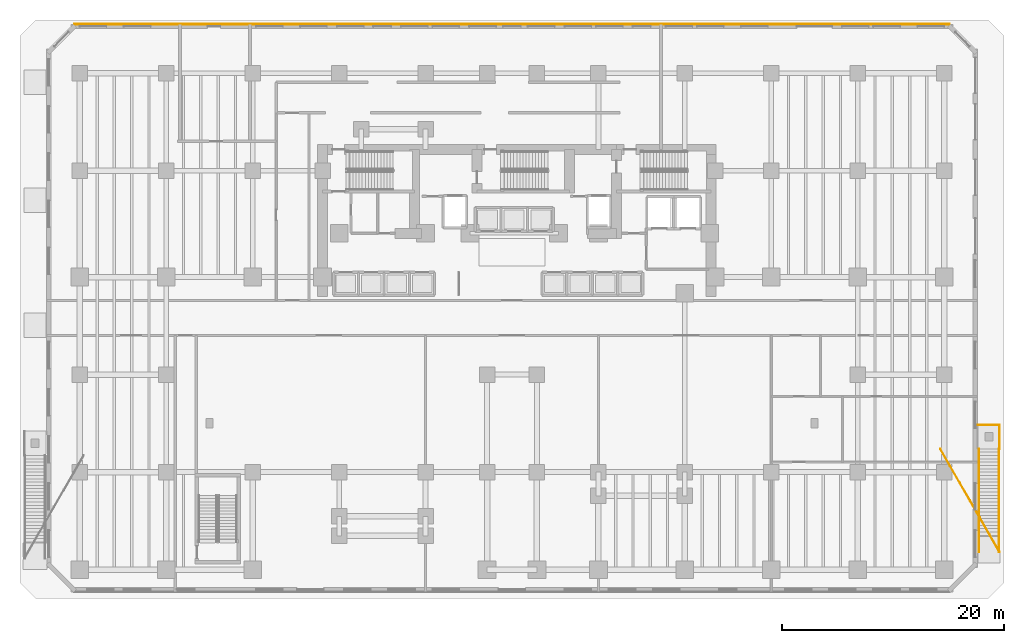
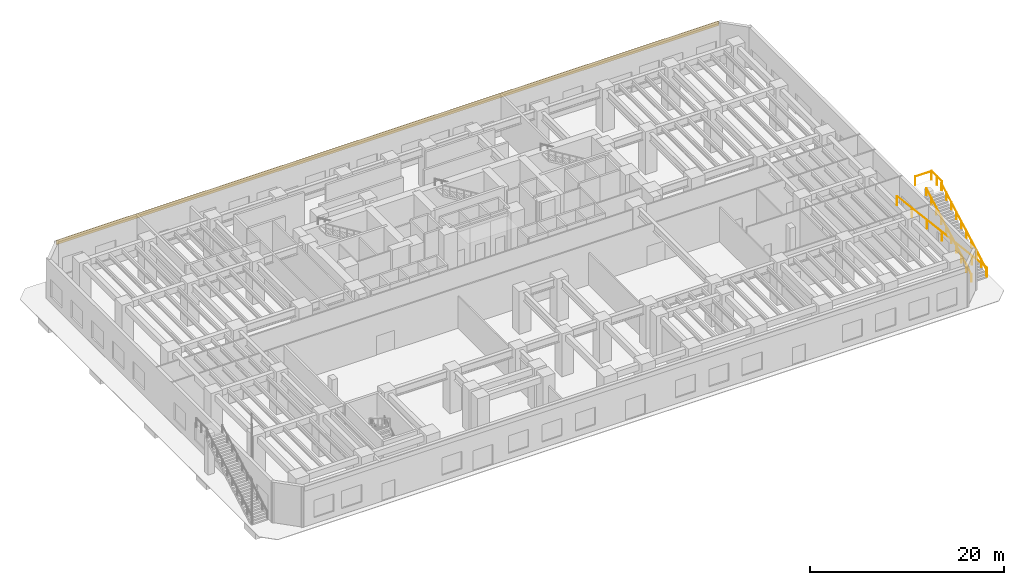
# One storey, part 16 of 17: 5 railings, 1 covering.
"""IFC4 building model written with IfcOpenShell, lengths in metres."""

from ifc_helpers import new_model, si_unit, direction, frame, origin, origin_2d, place, context, subcontext, project, spatial, rectangle, circle, extrude, material, layer, layer_set, type_object, element, save


model = new_model("IFC4")

# Units and contexts
model_context = context("Model", 3, precision=1e-05, world=origin(), true_north=direction((0.0, 1.0)))
body_context = subcontext(model_context, "Body", "Model", "MODEL_VIEW")
ifc_project = project(units=[si_unit("LENGTHUNIT", "METRE"), si_unit("AREAUNIT", "SQUARE_METRE"), si_unit("VOLUMEUNIT", "CUBIC_METRE"), si_unit("PLANEANGLEUNIT", "RADIAN"), si_unit("MASSUNIT", "GRAM", prefix="KILO")], contexts=[model_context])

# Site, building, storey
site_placement = place(None, origin())
site = spatial("IfcSite", under=ifc_project, at=site_placement, CompositionType="ELEMENT")
building_placement = place(site_placement, origin())
building = spatial("IfcBuilding", under=site, at=building_placement, Name="Kestravale Grand Hotel", CompositionType="ELEMENT")
storey_placement = place(building_placement, origin())
storey = spatial("IfcBuildingStorey", under=building, at=storey_placement, Name="L00", CompositionType="ELEMENT", Elevation=0.0)

# Covering
ifc_material_1 = material(Name="Warm limestone-toned fluted architectural precast cladding", Category="masonry")
ifc_layer = layer(ifc_material_1, 0.074951171875)
ifc_layer_set = layer_set([ifc_layer], Name="COV-CLAD-LIM")
covering_type = type_object("IfcCoveringType", Name="COV-CLAD-LIM", PredefinedType="CLADDING", material=ifc_layer_set)
covering_placement = place(storey_placement, frame((39.0, 51.614990234375, 4.52490234375), z_axis=(0.0, 0.0, 1.0), x_axis=(-1.0, 0.0, 0.0)))
element("IfcCovering", 1, at=covering_placement, inside=storey, type_object=covering_type, Name="L00 fluted limestone spandrel cladding 5", PredefinedType="CLADDING", context=body_context, shape_type="SweptSolid", body=[
    extrude(rectangle(XDim=78.97998046875, YDim=0.074951171875, at=origin_2d()), origin(), (0.0, 0.0, 1.0), 0.550048828125),
])

# Railings
ifc_material_2 = material(Name="Champagne-bronze stainless steel and laminated glass guard", Category="steel")
railing_type_1 = type_object("IfcRailingType", Name="RL-EXT-1100", PredefinedType="GUARDRAIL", material=ifc_material_2)
railing_1_placement = place(storey_placement, frame((83.0, 4.0, 0.168701171875)))
element("IfcRailing", 2, at=railing_1_placement, inside=storey, type_object=railing_type_1, Name="East garden stair flight guard", PredefinedType="GUARDRAIL", context=body_context, shape_type="SweptSolid", body=[
    extrude(circle(Radius=0.02392578125, at=origin_2d()), frame((0.0, 0.0, 1.09619140625), z_axis=(-0.448213444943, 0.779127259204, 0.438252691649), x_axis=(-0.86680279175, -0.498651100685, 0.0)), (0.0, 0.0, 1.0), 11.9365234375),
    extrude(circle(Radius=0.02099609375, at=origin_2d()), origin(), (0.0, 0.0, 1.0), 1.072021484375),
    extrude(circle(Radius=0.02099609375, at=origin_2d()), frame((-0.8916015625, 1.550048828125, 0.871826171875)), (0.0, 0.0, 1.0), 1.072021484375),
    extrude(circle(Radius=0.02099609375, at=origin_2d()), frame((-1.783447265625, 3.10009765625, 1.74365234375)), (0.0, 0.0, 1.0), 1.072021484375),
    extrude(circle(Radius=0.02099609375, at=origin_2d()), frame((-2.675048828125, 4.64990234375, 2.61572265625)), (0.0, 0.0, 1.0), 1.072021484375),
    extrude(circle(Radius=0.02099609375, at=origin_2d()), frame((-3.566650390625, 6.199951171875, 3.487548828125)), (0.0, 0.0, 1.0), 1.072021484375),
    extrude(circle(Radius=0.02099609375, at=origin_2d()), frame((-4.45849609375, 7.75, 4.359375)), (0.0, 0.0, 1.0), 1.072021484375),
    extrude(circle(Radius=0.02099609375, at=origin_2d()), frame((-5.35009765625, 9.300048828125, 5.231201171875)), (0.0, 0.0, 1.0), 1.072021484375),
])
railing_2_placement = place(storey_placement, frame((83.0, 13.300048828125, 5.39990234375)))
element("IfcRailing", 3, at=railing_2_placement, inside=storey, type_object=railing_type_1, Name="East garden stair landing guard", PredefinedType="GUARDRAIL", context=body_context, shape_type="SweptSolid", body=[
    extrude(circle(Radius=0.02392578125, at=origin_2d()), frame((0.0, 0.0, 1.09619140625), z_axis=(0.0, 1.0, 0.0), x_axis=(-1.0, 0.0, 0.0)), (0.0, 0.0, 1.0), 2.14990234375),
    extrude(circle(Radius=0.02099609375, at=origin_2d()), origin(), (0.0, 0.0, 1.0), 1.072021484375),
    extrude(circle(Radius=0.02099609375, at=origin_2d()), frame((0.0, 1.074951171875, 0.0)), (0.0, 0.0, 1.0), 1.072021484375),
    extrude(circle(Radius=0.02099609375, at=origin_2d()), frame((0.0, 2.14990234375, 0.0)), (0.0, 0.0, 1.0), 1.072021484375),
])
railing_3_placement = place(storey_placement, frame((83.0, 15.449951171875, 5.39990234375)))
element("IfcRailing", 4, at=railing_3_placement, inside=storey, type_object=railing_type_1, Name="East garden stair north guard", PredefinedType="GUARDRAIL", context=body_context, shape_type="SweptSolid", body=[
    extrude(circle(Radius=0.02392578125, at=origin_2d()), frame((0.0, 0.0, 1.09619140625), z_axis=(-1.0, 0.0, 0.0), x_axis=(0.0, -1.0, 0.0)), (0.0, 0.0, 1.0), 1.949951171875),
    extrude(circle(Radius=0.02099609375, at=origin_2d()), origin(), (0.0, 0.0, 1.0), 1.072021484375),
    extrude(circle(Radius=0.02099609375, at=origin_2d()), frame((-1.949951171875, 0.0, 0.0)), (0.0, 0.0, 1.0), 1.072021484375),
])
ifc_material_3 = material(Name="Brushed bronze stainless steel handrail", Category="steel")
railing_type_2 = type_object("IfcRailingType", Name="RL-EXT-915", PredefinedType="HANDRAIL", material=ifc_material_3)
for number, where, name in (
    (5, (81.14990234375, 4.0, 0.168701171875), "East garden stair handrail W"),
    (6, (82.949951171875, 4.0, 0.168701171875), "East garden stair handrail E"),
):
    element("IfcRailing", number, at=place(storey_placement, frame(where)), inside=storey, type_object=railing_type_2, Name=name, PredefinedType="HANDRAIL", context=body_context, shape_type="SweptSolid", body=[
        extrude(circle(Radius=0.02392578125, at=origin_2d()), frame((0.0, 0.0, 0.89111328125), z_axis=(0.0, 0.871578592338, 0.490255808102), x_axis=(-1.0, 0.0, 0.0)), (0.0, 0.0, 1.0), 10.67041015625),
        extrude(circle(Radius=0.02099609375, at=origin_2d()), origin(), (0.0, 0.0, 1.0), 0.866943359375),
        extrude(circle(Radius=0.02099609375, at=origin_2d()), frame((0.0, 1.033447265625, 0.581298828125)), (0.0, 0.0, 1.0), 0.866943359375),
        extrude(circle(Radius=0.02099609375, at=origin_2d()), frame((0.0, 2.066650390625, 1.16259765625)), (0.0, 0.0, 1.0), 0.866943359375),
        extrude(circle(Radius=0.02099609375, at=origin_2d()), frame((0.0, 3.10009765625, 1.74365234375)), (0.0, 0.0, 1.0), 0.866943359375),
        extrude(circle(Radius=0.02099609375, at=origin_2d()), frame((0.0, 4.13330078125, 2.324951171875)), (0.0, 0.0, 1.0), 0.866943359375),
        extrude(circle(Radius=0.02099609375, at=origin_2d()), frame((0.0, 5.166748046875, 2.90625)), (0.0, 0.0, 1.0), 0.866943359375),
        extrude(circle(Radius=0.02099609375, at=origin_2d()), frame((0.0, 6.199951171875, 3.487548828125)), (0.0, 0.0, 1.0), 0.866943359375),
        extrude(circle(Radius=0.02099609375, at=origin_2d()), frame((0.0, 7.2333984375, 4.068603515625)), (0.0, 0.0, 1.0), 0.866943359375),
        extrude(circle(Radius=0.02099609375, at=origin_2d()), frame((0.0, 8.2666015625, 4.64990234375)), (0.0, 0.0, 1.0), 0.866943359375),
        extrude(circle(Radius=0.02099609375, at=origin_2d()), frame((0.0, 9.300048828125, 5.231201171875)), (0.0, 0.0, 1.0), 0.866943359375),
    ])

save(model, "model.ifc")
